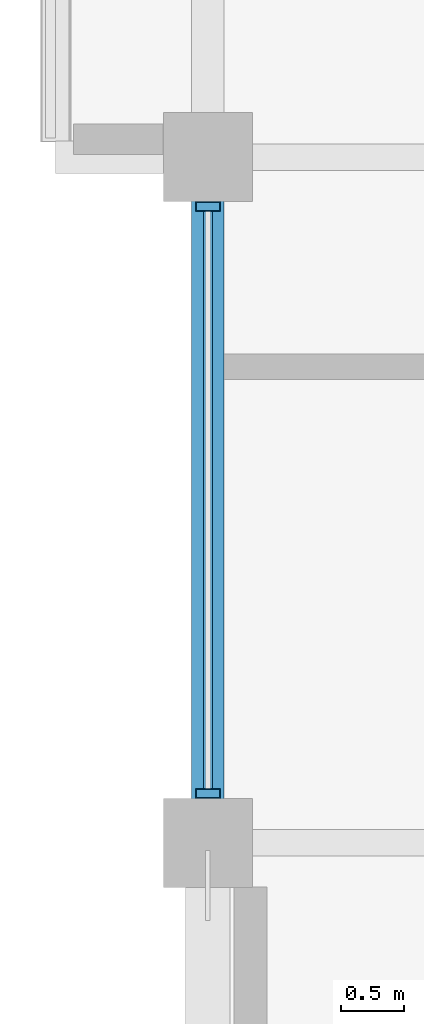
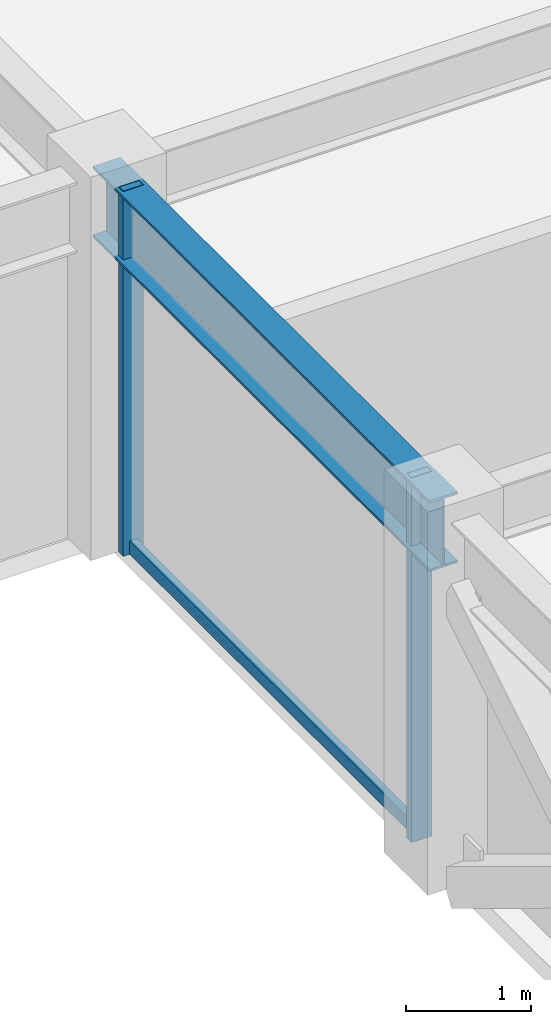
# One storey, part 4 of 30: 3 members, 1 beam, 1 element without a shape of its own.
"""IFC4 building model written with IfcOpenShell, lengths in metres."""

from ifc_helpers import new_model, si_unit, direction, frame, origin, origin_2d, place, context, subcontext, project, spatial, hollow_rectangle, i_section, extrude, material, layer, layer_set, material_profile, profile_set, type_object, element, aggregate, save


model = new_model("IFC4")

# Units and contexts
model_context = context("Model", 3, precision=1e-05, world=origin(), true_north=direction((0.0, 1.0)))
body_context = subcontext(model_context, "Body", "Model", "MODEL_VIEW")
ifc_project = project(units=[si_unit("LENGTHUNIT", "METRE"), si_unit("AREAUNIT", "SQUARE_METRE"), si_unit("VOLUMEUNIT", "CUBIC_METRE"), si_unit("PLANEANGLEUNIT", "RADIAN"), si_unit("MASSUNIT", "GRAM", prefix="KILO")], contexts=[model_context])

# Site, building, storey
site_placement = place(None, origin())
site = spatial("IfcSite", under=ifc_project, at=site_placement, CompositionType="ELEMENT")
building_placement = place(site_placement, origin())
building = spatial("IfcBuilding", under=site, at=building_placement, Name="Surkhivell Harbour Commons", CompositionType="ELEMENT")
storey_placement = place(building_placement, frame((0.0, 0.0, 303.75)))
storey = spatial("IfcBuildingStorey", under=building, at=storey_placement, Name="L79", CompositionType="ELEMENT", Elevation=303.75)

# Beam
ifc_material_1 = material(Name="Steel S355", Category="steel")
ifc_material_profile_1 = material_profile(ifc_material_1, i_section(OverallWidth=0.256103515625, OverallDepth=0.693115234375, WebThickness=0.014404296875, FlangeThickness=0.023681640625, at=origin_2d()), Name="UB686x254x170")
ifc_profile_set_1 = profile_set([ifc_material_profile_1], Name="Steel S355")
beam_type = type_object("IfcBeamType", Name="BM-SPN-686", PredefinedType="SPANDREL", material=ifc_profile_set_1)
beam_placement = place(storey_placement, frame((-27.0, -10.800048828125, 3.223388671875), z_axis=(0.0, 1.0, 0.0), x_axis=(-1.0, 0.0, 0.0)))
element("IfcBeam", 1, at=beam_placement, inside=storey, type_object=beam_type, Name="L79 Tube Spandrel (-27.0,-10.8)", PredefinedType="SPANDREL", context=body_context, shape_type="SweptSolid", body=[
    extrude(i_section(OverallWidth=0.256103515625, OverallDepth=0.693115234375, WebThickness=0.014404296875, FlangeThickness=0.023681640625, at=origin_2d()), origin(), (0.0, 0.0, 1.0), 5.400146484375),
])

# Curtain wall, members
ifc_material_2 = material(Name="Anodised pale-metal aluminium and insulated glazing", Category="aluminium")
ifc_layer = layer(ifc_material_2, 0.175048828125)
ifc_layer_set = layer_set([ifc_layer], Name="Anodised pale-metal aluminium and insulated glazing")
curtain_wall_type = type_object("IfcCurtainWallType", Name="CW-SYS-Z4", PredefinedType="NOTDEFINED", material=ifc_layer_set)
curtain_wall_placement = place(storey_placement, origin())
curtain_wall = element("IfcCurtainWall", 2, at=curtain_wall_placement, inside=storey, type_object=curtain_wall_type, Name="L79 Curtain Wall CW-L79-E12R1S1", PredefinedType="NOTDEFINED")
ifc_material_3 = material(Name="Anodised pale-metal aluminium alloy 6063-T6", Category="aluminium")
ifc_material_profile_2 = material_profile(ifc_material_3, hollow_rectangle(XDim=0.074951171875, YDim=0.18994140625, WallThickness=0.00390625, at=origin_2d()), Name="ALU-MULL-75x190")
ifc_profile_set_2 = profile_set([ifc_material_profile_2], Name="Anodised pale-metal aluminium alloy 6063-T6")
member_type_1 = type_object("IfcMemberType", Name="CWM-190", PredefinedType="MULLION", material=ifc_profile_set_2)
member_1_placement = place(storey_placement, frame((-27.0, -10.410400390625, 0.0), z_axis=(0.0, 0.0, 1.0), x_axis=(0.0, 1.0, 0.0)))
member_1 = element("IfcMember", 3, at=member_1_placement, type_object=member_type_1, Name="CW-Z4 mullion 1", PredefinedType="MULLION", context=body_context, shape_type="SweptSolid", body=[
    extrude(hollow_rectangle(XDim=0.074951171875, YDim=0.18994140625, WallThickness=0.00390625, at=origin_2d()), origin(), (0.0, 0.0, 1.0), 3.570068359375),
])
member_2_placement = place(storey_placement, frame((-27.0, -5.78955078125, 0.0), z_axis=(0.0, 0.0, 1.0), x_axis=(0.0, 1.0, 0.0)))
member_2 = element("IfcMember", 4, at=member_2_placement, type_object=member_type_1, Name="CW-Z4 mullion 2", PredefinedType="MULLION", context=body_context, shape_type="SweptSolid", body=[
    extrude(hollow_rectangle(XDim=0.074951171875, YDim=0.18994140625, WallThickness=0.00390625, at=origin_2d()), origin(), (0.0, 0.0, 1.0), 3.570068359375),
])
ifc_material_4 = material(Name="Champagne anodised aluminium alloy 6063-T6", Category="aluminium")
ifc_material_profile_3 = material_profile(ifc_material_4, hollow_rectangle(XDim=0.070068359375, YDim=0.1298828125, WallThickness=0.00341796875, at=origin_2d()), Name="ALU-TRAN-70x130")
ifc_profile_set_3 = profile_set([ifc_material_profile_3], Name="Champagne anodised aluminium alloy 6063-T6")
member_type_2 = type_object("IfcMemberType", Name="CWT-130", PredefinedType="USERDEFINED", material=ifc_profile_set_3)
member_3_placement = place(storey_placement, frame((-27.0, -10.373046875, 0.06494140625), z_axis=(0.0, 1.0, 0.0), x_axis=(-1.0, 0.0, 0.0)))
member_3 = element("IfcMember", 5, at=member_3_placement, type_object=member_type_2, Name="CW-Z4 transom 1.1", ObjectType="TRANSOM", PredefinedType="USERDEFINED", context=body_context, shape_type="SweptSolid", body=[
    extrude(hollow_rectangle(XDim=0.070068359375, YDim=0.1298828125, WallThickness=0.00341796875, at=origin_2d()), origin(), (0.0, 0.0, 1.0), 4.546142578125),
])
aggregate(curtain_wall, [member_1, member_2, member_3])

save(model, "model.ifc")
